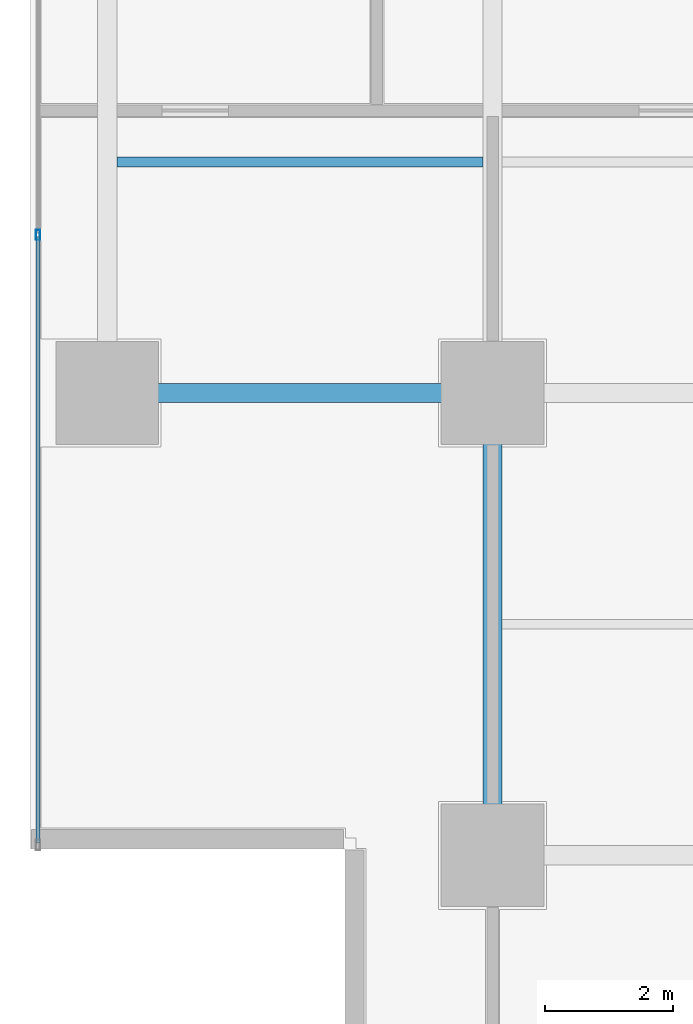
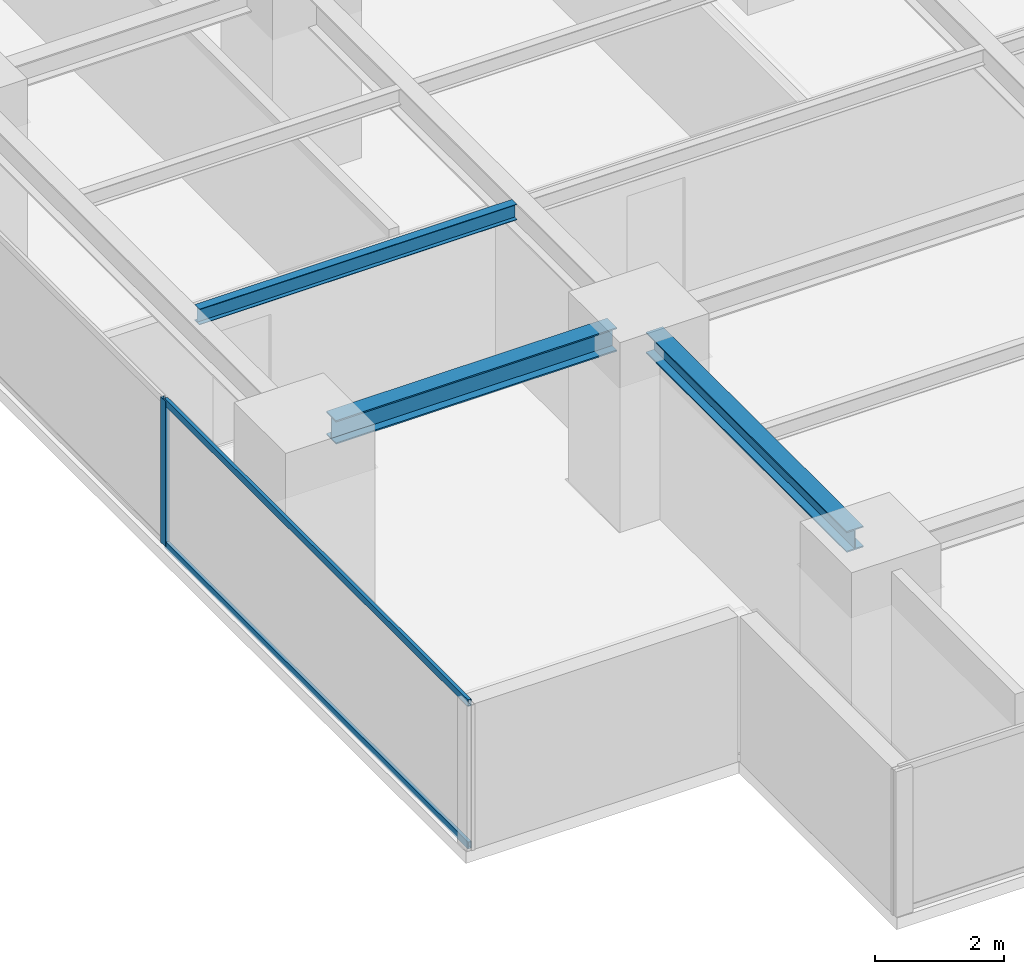
# One storey, part 3 of 28: 3 beams, 3 members, 1 element without a shape of its own.
"""IFC4 building model written with IfcOpenShell, lengths in metres."""

from ifc_helpers import new_model, si_unit, direction, frame, origin, origin_2d, place, context, subcontext, project, spatial, hollow_rectangle, i_section, extrude, source, transform, mapped, material, layer, layer_set, material_profile, profile_set, type_object, element, aggregate, save


model = new_model("IFC4")

# Units and contexts
model_context = context("Model", 3, precision=1e-05, world=origin(), true_north=direction((0.0, 1.0)))
body_context = subcontext(model_context, "Body", "Model", "MODEL_VIEW")
ifc_project = project(units=[si_unit("LENGTHUNIT", "METRE"), si_unit("AREAUNIT", "SQUARE_METRE"), si_unit("VOLUMEUNIT", "CUBIC_METRE"), si_unit("PLANEANGLEUNIT", "RADIAN"), si_unit("MASSUNIT", "GRAM", prefix="KILO")], contexts=[model_context])

# Site, building, storey
site_placement = place(None, origin())
site = spatial("IfcSite", under=ifc_project, at=site_placement, CompositionType="ELEMENT")
building_placement = place(site_placement, origin())
building = spatial("IfcBuilding", under=site, at=building_placement, Name="Sumidabori Civic Tower", CompositionType="ELEMENT")
storey_placement = place(building_placement, frame((0.0, 0.0, 171.199951171875)))
storey = spatial("IfcBuildingStorey", under=building, at=storey_placement, Name="L44", CompositionType="ELEMENT", Elevation=171.199951171875)

# Beams
ifc_material_1 = material(Name="Steel SN490", Category="steel")
ifc_material_profile_1 = material_profile(ifc_material_1, i_section(OverallWidth=0.300048828125, OverallDepth=0.39990234375, WebThickness=0.013427734375, FlangeThickness=0.02392578125, at=origin_2d()), Name="HE 400 B")
ifc_profile_set_1 = profile_set([ifc_material_profile_1], Name="Steel SN490")
beam_type_1 = type_object("IfcBeamType", Name="BM-GIRD-400", PredefinedType="BEAM", material=ifc_profile_set_1)
shared_shape_1 = source(origin(), body_context, "Body", "SweptSolid", [
    extrude(i_section(OverallWidth=0.300048828125, OverallDepth=0.39990234375, WebThickness=0.013427734375, FlangeThickness=0.02392578125, at=origin_2d()), origin(), (0.0, 0.0, 1.0), 6.239990234375),
])
beam_1_placement = place(storey_placement, frame((-16.800048828125, -17.52001953125, 3.179931640625), z_axis=(0.0, 1.0, 0.0), x_axis=(-1.0, 0.0, 0.0)))
element("IfcBeam", 1, at=beam_1_placement, inside=storey, type_object=beam_type_1, Name="Primary Girder L44 GY-22", PredefinedType="BEAM", context=body_context, shape_type="MappedRepresentation", body=[
    mapped(shared_shape_1, transform((0.0, 0.0, 0.0), x_axis=(1.0, 0.0, 0.0), y_axis=(0.0, 1.0, 0.0), z_axis=(0.0, 0.0, 1.0), scale=1.0)),
])
ifc_material_profile_2 = material_profile(ifc_material_1, i_section(OverallWidth=0.14990234375, OverallDepth=0.300048828125, WebThickness=0.007080078125, FlangeThickness=0.0107421875, at=origin_2d()), Name="IPE 300")
ifc_profile_set_2 = profile_set([ifc_material_profile_2], Name="Steel SN490")
beam_type_2 = type_object("IfcBeamType", Name="BM-JST-300", PredefinedType="JOIST", material=ifc_profile_set_2)
shared_shape_2 = source(origin(), body_context, "Body", "SweptSolid", [
    extrude(i_section(OverallWidth=0.14990234375, OverallDepth=0.300048828125, WebThickness=0.007080078125, FlangeThickness=0.0107421875, at=origin_2d()), origin(), (0.0, 0.0, 1.0), 5.699951171875),
])
beam_2_placement = place(storey_placement, frame((-22.64990234375, -7.199951171875, 3.22998046875), z_axis=(1.0, 0.0, 0.0), x_axis=(0.0, 1.0, 0.0)))
element("IfcBeam", 2, at=beam_2_placement, inside=storey, type_object=beam_type_2, Name="Outer Bay Floor Joist L44 JSTO-39", PredefinedType="JOIST", context=body_context, shape_type="MappedRepresentation", body=[
    mapped(shared_shape_2, transform((0.0, 0.0, 0.0), x_axis=(1.0, 0.0, 0.0), y_axis=(0.0, 1.0, 0.0), z_axis=(0.0, 0.0, 1.0), scale=1.0)),
])
ifc_material_profile_3 = material_profile(ifc_material_1, i_section(OverallWidth=0.300048828125, OverallDepth=0.449951171875, WebThickness=0.013916015625, FlangeThickness=0.02587890625, at=origin_2d()), Name="HE 450 B")
ifc_profile_set_3 = profile_set([ifc_material_profile_3], Name="Steel SN490")
beam_type_3 = type_object("IfcBeamType", Name="BM-GIRD-450", PredefinedType="BEAM", material=ifc_profile_set_3)
shared_shape_3 = source(origin(), body_context, "Body", "SweptSolid", [
    extrude(i_section(OverallWidth=0.300048828125, OverallDepth=0.449951171875, WebThickness=0.013916015625, FlangeThickness=0.02587890625, at=origin_2d()), origin(), (0.0, 0.0, 1.0), 5.0400390625),
])
beam_3_placement = place(storey_placement, frame((-22.320068359375, -10.800048828125, 3.155029296875), z_axis=(1.0, 0.0, 0.0), x_axis=(0.0, 1.0, 0.0)))
element("IfcBeam", 3, at=beam_3_placement, inside=storey, type_object=beam_type_3, Name="Primary Girder L44 GX-05", PredefinedType="BEAM", context=body_context, shape_type="MappedRepresentation", body=[
    mapped(shared_shape_3, transform((0.0, 0.0, 0.0), x_axis=(1.0, 0.0, 0.0), y_axis=(0.0, 1.0, 0.0), z_axis=(0.0, 0.0, 1.0), scale=1.0)),
])

# Curtain wall, members
ifc_material_2 = material(Name="Anodised Bronze Aluminium AW-6063-T6", Category="aluminium")
ifc_layer = layer(ifc_material_2, 0.179931640625, Name="Anodised Bronze Aluminium AW-6063-T6")
ifc_layer_set = layer_set([ifc_layer], Name="Anodised Bronze Aluminium AW-6063-T6")
curtain_wall_type = type_object("IfcCurtainWallType", Name="CW-SYS-3", PredefinedType="NOTDEFINED", material=ifc_layer_set)
curtain_wall_placement = place(storey_placement, origin())
curtain_wall = element("IfcCurtainWall", 4, at=curtain_wall_placement, inside=storey, type_object=curtain_wall_type, Name="Curtain Wall CW:L44:R10", PredefinedType="NOTDEFINED")
ifc_material_profile_4 = material_profile(ifc_material_2, hollow_rectangle(XDim=0.06494140625, YDim=0.159912109375, WallThickness=0.0048828125, at=origin_2d()), Name="ALU MULLION 160x65")
ifc_profile_set_4 = profile_set([ifc_material_profile_4], Name="Anodised Bronze Aluminium AW-6063-T6")
member_type_1 = type_object("IfcMemberType", Name="CW-MUL-160", PredefinedType="MULLION", material=ifc_profile_set_4)
shared_shape_4 = source(origin(), body_context, "Body", "SweptSolid", [
    extrude(hollow_rectangle(XDim=0.06494140625, YDim=0.159912109375, WallThickness=0.0048828125, at=origin_2d()), origin(), (0.0, 0.0, 1.0), 2.760009765625),
])
member_1_placement = place(storey_placement, frame((-23.8798828125, -8.3349609375, 0.0), z_axis=(0.0, 0.0, 1.0), x_axis=(1.0, 0.0, 0.0)))
member_1 = element("IfcMember", 5, at=member_1_placement, type_object=member_type_1, Name="CW-3 mullion 4", PredefinedType="MULLION", context=body_context, shape_type="MappedRepresentation", body=[
    mapped(shared_shape_4, transform((0.0, 0.0, 0.0), x_axis=(1.0, 0.0, 0.0), y_axis=(0.0, 1.0, 0.0), z_axis=(0.0, 0.0, 1.0), scale=1.0)),
])
ifc_material_profile_5 = material_profile(ifc_material_2, hollow_rectangle(XDim=0.06005859375, YDim=0.1298828125, WallThickness=0.0048828125, at=origin_2d()), Name="ALU TRANSOM 130x60")
ifc_profile_set_5 = profile_set([ifc_material_profile_5], Name="Anodised Bronze Aluminium AW-6063-T6")
member_type_2 = type_object("IfcMemberType", Name="CW-TRN-130", PredefinedType="USERDEFINED", material=ifc_profile_set_5)
shared_shape_5 = source(origin(), body_context, "Body", "SweptSolid", [
    extrude(hollow_rectangle(XDim=0.06005859375, YDim=0.1298828125, WallThickness=0.0048828125, at=origin_2d()), origin(), (0.0, 0.0, 1.0), 9.4375),
])
member_2_placement = place(storey_placement, frame((-23.8798828125, -8.367431640625, 0.030029296875), z_axis=(0.0, -1.0, 0.0), x_axis=(1.0, 0.0, 0.0)))
member_2 = element("IfcMember", 6, at=member_2_placement, type_object=member_type_2, Name="CW-3 transom 4.1", ObjectType="TRANSOM", PredefinedType="USERDEFINED", context=body_context, shape_type="MappedRepresentation", body=[
    mapped(shared_shape_5, transform((0.0, 0.0, 0.0), x_axis=(1.0, 0.0, 0.0), y_axis=(0.0, 1.0, 0.0), z_axis=(0.0, 0.0, 1.0), scale=1.0)),
])
member_3_placement = place(storey_placement, frame((-23.8798828125, -8.367431640625, 2.72998046875), z_axis=(0.0, -1.0, 0.0), x_axis=(1.0, 0.0, 0.0)))
member_3 = element("IfcMember", 7, at=member_3_placement, type_object=member_type_2, Name="CW-3 transom 4.2", ObjectType="TRANSOM", PredefinedType="USERDEFINED", context=body_context, shape_type="MappedRepresentation", body=[
    mapped(shared_shape_5, transform((0.0, 0.0, 0.0), x_axis=(1.0, 0.0, 0.0), y_axis=(0.0, 1.0, 0.0), z_axis=(0.0, 0.0, 1.0), scale=1.0)),
])
aggregate(curtain_wall, [member_1, member_2, member_3])

save(model, "model.ifc")
